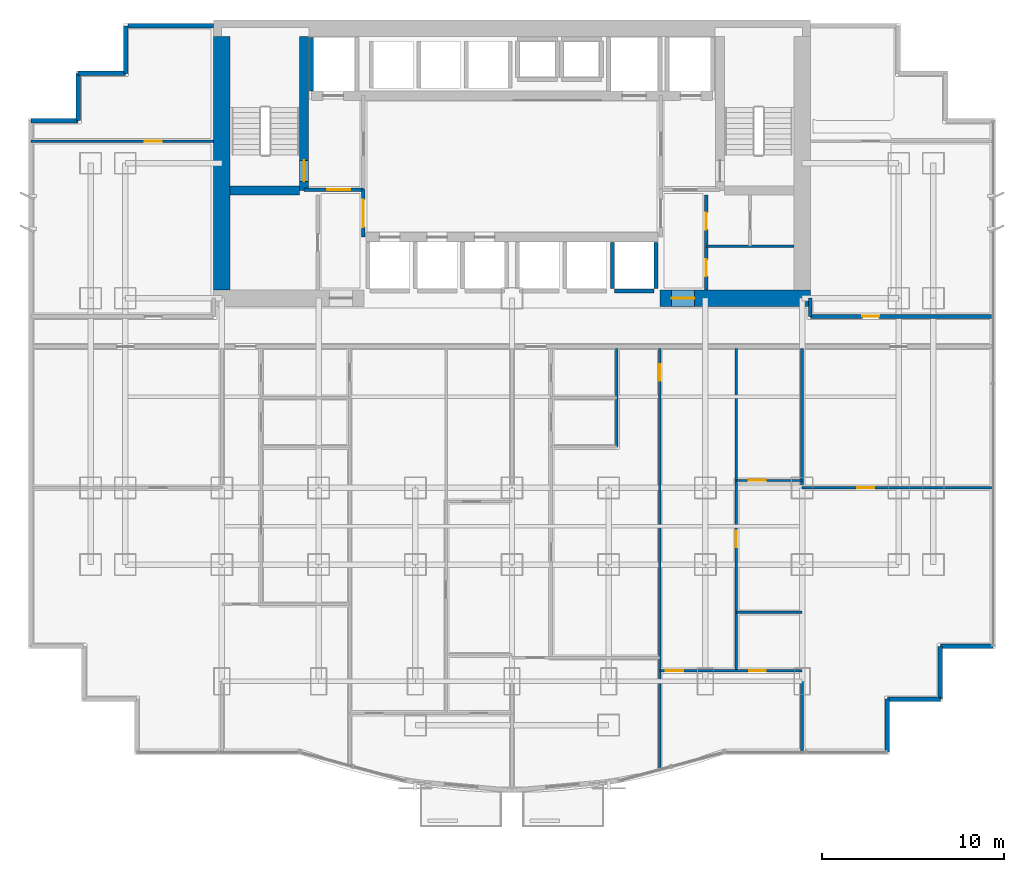
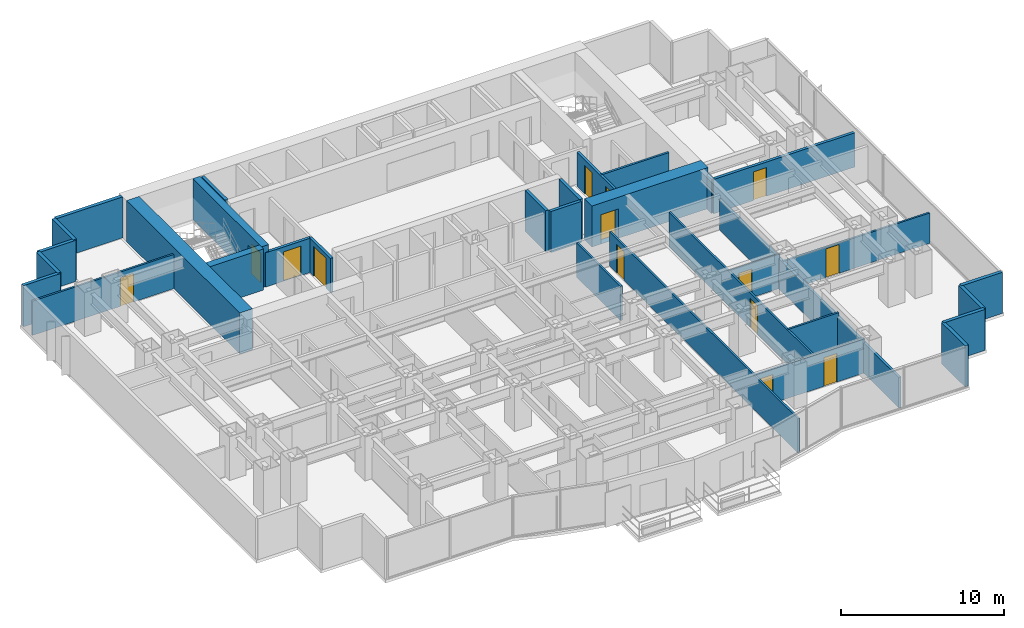
# One storey, part 8 of 12: 32 walls, 14 doors, 14 openings.
"""IFC4 building model written with IfcOpenShell, lengths in metres."""

from ifc_helpers import new_model, si_unit, direction, frame, frame_2d, origin, place, context, subcontext, project, spatial, rectangle, extrude, material, layer, layer_set, type_object, element, fill, save


model = new_model("IFC4")

# Units and contexts
model_context = context("Model", 3, precision=1e-05, world=origin(), true_north=direction((0.0, 1.0)))
body_context = subcontext(model_context, "Body", "Model", "MODEL_VIEW")
ifc_project = project(units=[si_unit("LENGTHUNIT", "METRE"), si_unit("AREAUNIT", "SQUARE_METRE"), si_unit("VOLUMEUNIT", "CUBIC_METRE"), si_unit("PLANEANGLEUNIT", "RADIAN"), si_unit("MASSUNIT", "GRAM", prefix="KILO")], contexts=[model_context])

# Site, building, storey
site_placement = place(None, origin())
site = spatial("IfcSite", under=ifc_project, at=site_placement, CompositionType="ELEMENT")
building_placement = place(site_placement, origin())
building = spatial("IfcBuilding", under=site, at=building_placement, Name="Qianlan Lanfeng Residences", CompositionType="ELEMENT")
storey_placement = place(building_placement, frame((0.0, 0.0, 44.0)))
storey = spatial("IfcBuildingStorey", under=building, at=storey_placement, Name="L11", CompositionType="ELEMENT", Elevation=44.0)

# Wall, opening, door
ifc_material_1 = material(Name="Concrete C70", Category="concrete")
ifc_layer_1 = layer(ifc_material_1, 0.5)
ifc_layer_set_1 = layer_set([ifc_layer_1], Name="Concrete C70")
wall_type_1 = type_object("IfcWallType", Name="CW-RC-500", PredefinedType="SHEAR", material=ifc_layer_set_1)
wall_1_placement = place(storey_placement, frame((15.10009765625, 31.10009765625, 0.0), z_axis=(0.0, 0.0, 1.0), x_axis=(0.0, 1.0, 0.0)))
wall_1 = element("IfcWall", 1, at=wall_1_placement, inside=storey, type_object=wall_type_1, Name="L11 Core Shear Wall ST1E", PredefinedType="SHEAR", context=body_context, shape_type="SweptSolid", body=[
    extrude(rectangle(XDim=8.449951171875, YDim=0.5, at=frame_2d((4.22509765625, 0.0))), origin(), (0.0, 0.0, 1.0), 3.080078125),
])
opening_1_placement = place(wall_1_placement, frame((0.510009765625, 0.0, 0.0)))
opening_1 = element("IfcOpeningElement", 2, at=opening_1_placement, cuts=wall_1, Name="Opening L11-D07", PredefinedType="OPENING", context=body_context, shape_type="SweptSolid", body=[
    extrude(rectangle(XDim=1.14990234375, YDim=2.199951171875, at=frame_2d((0.574951171875, 1.10009765625))), frame((0.0, 0.260009765625, 0.0), z_axis=(0.0, -1.0, 0.0), x_axis=(1.0, 0.0, 0.0)), (0.0, 0.0, 1.0), 0.52001953125),
])
ifc_material_2 = material(Name="Painted Galvanised Steel Fire Door", Category="steel")
door_type_1 = type_object("IfcDoorType", Name="DT-ST1", OperationType="NOTDEFINED", PredefinedType="DOOR", material=ifc_material_2)
door_1_placement = place(opening_1_placement, frame((1.14990234375, 0.0, 0.0), z_axis=(0.0, 0.0, 1.0), x_axis=(-1.0, 0.0, 0.0)))
door_1 = element("IfcDoor", 3, at=door_1_placement, inside=storey, type_object=door_type_1, Name="L11 Exit Stair ST-1 Door L11-D07 (DT-ST1)", OperationType="SINGLE_SWING_RIGHT", OverallHeight=2.199951171875, OverallWidth=1.14990234375, PredefinedType="DOOR", context=body_context, shape_type="SweptSolid", body=[
    extrude(rectangle(XDim=1.14990234375, YDim=2.199951171875, at=frame_2d((0.574951171875, 1.10009765625))), frame((0.0, 0.02490234375, 0.0), z_axis=(0.0, -1.0, 0.0), x_axis=(1.0, 0.0, 0.0)), (0.0, 0.0, 1.0), 0.050048828125),
])
fill(opening_1, door_1)

# Walls
wall_2_placement = place(storey_placement, frame((11.050048828125, 31.10009765625, 0.0), z_axis=(0.0, 0.0, 1.0), x_axis=(1.0, 0.0, 0.0)))
element("IfcWall", 4, at=wall_2_placement, inside=storey, type_object=wall_type_1, Name="L11 Core Shear Wall ST1S", PredefinedType="SHEAR", context=body_context, shape_type="SweptSolid", body=[
    extrude(rectangle(XDim=3.800048828125, YDim=0.5, at=frame_2d((1.89990234375, 0.0))), origin(), (0.0, 0.0, 1.0), 3.080078125),
])
ifc_layer_2 = layer(ifc_material_1, 0.89990234375)
ifc_layer_set_2 = layer_set([ifc_layer_2], Name="Concrete C70")
wall_type_2 = type_object("IfcWallType", Name="CW-RC-900", PredefinedType="SHEAR", material=ifc_layer_set_2)
wall_3_placement = place(storey_placement, frame((10.60009765625, 25.64990234375, 0.0), z_axis=(0.0, 0.0, 1.0), x_axis=(0.0, 1.0, 0.0)))
element("IfcWall", 5, at=wall_3_placement, inside=storey, type_object=wall_type_2, Name="L11 Core Shear Wall W", PredefinedType="SHEAR", context=body_context, shape_type="SweptSolid", body=[
    extrude(rectangle(XDim=13.900146484375, YDim=0.89990234375, at=frame_2d((6.9501953125, 0.0))), origin(), (0.0, 0.0, 1.0), 3.080078125),
])

# Wall, opening, door
wall_4_placement = place(storey_placement, frame((34.60009765625, 25.199951171875, 0.0), z_axis=(0.0, 0.0, 1.0), x_axis=(1.0, 0.0, 0.0)))
wall_4 = element("IfcWall", 6, at=wall_4_placement, inside=storey, type_object=wall_type_2, Name="L11 Core Shear Wall SE", PredefinedType="SHEAR", context=body_context, shape_type="SweptSolid", body=[
    extrude(rectangle(XDim=8.25, YDim=0.89990234375, at=frame_2d((4.125, 0.0))), origin(), (0.0, 0.0, 1.0), 3.080078125),
])
opening_2_placement = place(wall_4_placement, frame((0.64990234375, 0.0, 0.0)))
opening_2 = element("IfcOpeningElement", 7, at=opening_2_placement, cuts=wall_4, Name="Opening L11-D02", PredefinedType="OPENING", context=body_context, shape_type="SweptSolid", body=[
    extrude(rectangle(XDim=1.25, YDim=2.199951171875, at=frame_2d((0.625, 1.10009765625))), frame((0.0, 0.4599609375, 0.0), z_axis=(0.0, -1.0, 0.0), x_axis=(1.0, 0.0, 0.0)), (0.0, 0.0, 1.0), 0.919921875),
])
door_type_2 = type_object("IfcDoorType", Name="DT-FFL", OperationType="NOTDEFINED", PredefinedType="DOOR", material=ifc_material_2)
door_2_placement = place(opening_2_placement, frame((1.25, 0.0, 0.0), z_axis=(0.0, 0.0, 1.0), x_axis=(-1.0, 0.0, 0.0)))
door_2 = element("IfcDoor", 8, at=door_2_placement, inside=storey, type_object=door_type_2, Name="L11 East Core Lobby Smoke Door L11-D02 (DT-FFL)", OperationType="SINGLE_SWING_LEFT", OverallHeight=2.199951171875, OverallWidth=1.25, PredefinedType="DOOR", context=body_context, shape_type="SweptSolid", body=[
    extrude(rectangle(XDim=1.25, YDim=2.199951171875, at=frame_2d((0.625, 1.10009765625))), frame((0.0, 0.02490234375, 0.0), z_axis=(0.0, -1.0, 0.0), x_axis=(1.0, 0.0, 0.0)), (0.0, 0.0, 1.0), 0.050048828125),
])
fill(opening_2, door_2)

# Walls
ifc_material_3 = material(Name="Concrete C42", Category="concrete")
ifc_layer_3 = layer(ifc_material_3, 0.239990234375)
ifc_layer_set_3 = layer_set([ifc_layer_3], Name="Concrete C42")
wall_type_3 = type_object("IfcWallType", Name="EW-240", PredefinedType="SOLIDWALL", material=ifc_layer_set_3)
for number, where, z_axis, x_axis, name in (
    (9, (47.080078125, 0.320068359375, 0.0), (0.0, 0.0, 1.0), (0.0, 1.0, 0.0), "L11 Exterior Facade Spandrel Wall 7"),
    (10, (47.080078125, 3.219970703125, 0.0), (0.0, 0.0, 1.0), (1.0, 0.0, 0.0), "L11 Exterior Facade Spandrel Wall 8"),
):
    element("IfcWall", number, at=place(storey_placement, frame(where, z_axis=z_axis, x_axis=x_axis)), inside=storey, type_object=wall_type_3, Name=name, PredefinedType="SOLIDWALL", context=body_context, shape_type="SweptSolid", body=[
        extrude(rectangle(XDim=2.89990234375, YDim=0.239990234375, at=frame_2d((1.449951171875, 0.0))), origin(), (0.0, 0.0, 1.0), 3.080078125),
    ])
wall_5_placement = place(storey_placement, frame((49.97998046875, 3.219970703125, 0.0), z_axis=(0.0, 0.0, 1.0), x_axis=(0.0, 1.0, 0.0)))
element("IfcWall", 11, at=wall_5_placement, inside=storey, type_object=wall_type_3, Name="L11 Exterior Facade Spandrel Wall 9", PredefinedType="SOLIDWALL", context=body_context, shape_type="SweptSolid", body=[
    extrude(rectangle(XDim=2.900146484375, YDim=0.239990234375, at=frame_2d((1.4501953125, 0.0))), origin(), (0.0, 0.0, 1.0), 3.080078125),
])
wall_6_placement = place(storey_placement, frame((49.97998046875, 6.1201171875, 0.0), z_axis=(0.0, 0.0, 1.0), x_axis=(1.0, 0.0, 0.0)))
element("IfcWall", 12, at=wall_6_placement, inside=storey, type_object=wall_type_3, Name="L11 Exterior Facade Spandrel Wall 10", PredefinedType="SOLIDWALL", context=body_context, shape_type="SweptSolid", body=[
    extrude(rectangle(XDim=2.89990234375, YDim=0.239990234375, at=frame_2d((1.449951171875, 0.0))), origin(), (0.0, 0.0, 1.0), 3.080078125),
])
wall_7_placement = place(storey_placement, frame((10.14990234375, 40.1298828125, 0.0), z_axis=(0.0, 0.0, 1.0), x_axis=(-1.0, 0.0, 0.0)))
element("IfcWall", 13, at=wall_7_placement, inside=storey, type_object=wall_type_3, Name="L11 North Wing Exterior Wall W", PredefinedType="SOLIDWALL", context=body_context, shape_type="SweptSolid", body=[
    extrude(rectangle(XDim=4.699951171875, YDim=0.239990234375, at=frame_2d((2.35009765625, 0.0))), origin(), (0.0, 0.0, 1.0), 3.080078125),
])
wall_8_placement = place(storey_placement, frame((5.320068359375, 40.1298828125, 0.0), z_axis=(0.0, 0.0, 1.0), x_axis=(0.0, -1.0, 0.0)))
element("IfcWall", 14, at=wall_8_placement, inside=storey, type_object=wall_type_3, Name="L11 Exterior Facade Spandrel Wall 17", PredefinedType="SOLIDWALL", context=body_context, shape_type="SweptSolid", body=[
    extrude(rectangle(XDim=2.599853515625, YDim=0.239990234375, at=frame_2d((1.2998046875, 0.0))), origin(), (0.0, 0.0, 1.0), 3.080078125),
])
for number, where, z_axis, x_axis, name in (
    (15, (5.320068359375, 37.530029296875, 0.0), (0.0, 0.0, 1.0), (-1.0, 0.0, 0.0), "L11 Exterior Facade Spandrel Wall 18"),
    (16, (2.719970703125, 37.530029296875, 0.0), (0.0, 0.0, 1.0), (0.0, -1.0, 0.0), "L11 Exterior Facade Spandrel Wall 19"),
):
    element("IfcWall", number, at=place(storey_placement, frame(where, z_axis=z_axis, x_axis=x_axis)), inside=storey, type_object=wall_type_3, Name=name, PredefinedType="SOLIDWALL", context=body_context, shape_type="SweptSolid", body=[
        extrude(rectangle(XDim=2.60009765625, YDim=0.239990234375, at=frame_2d((1.300048828125, 0.0))), origin(), (0.0, 0.0, 1.0), 3.080078125),
    ])
wall_9_placement = place(storey_placement, frame((2.719970703125, 34.929931640625, 0.0), z_axis=(0.0, 0.0, 1.0), x_axis=(-1.0, 0.0, 0.0)))
element("IfcWall", 17, at=wall_9_placement, inside=storey, type_object=wall_type_3, Name="L11 Exterior Facade Spandrel Wall 20", PredefinedType="SOLIDWALL", context=body_context, shape_type="SweptSolid", body=[
    extrude(rectangle(XDim=2.599853515625, YDim=0.239990234375, at=frame_2d((1.2998046875, 0.0))), origin(), (0.0, 0.0, 1.0), 3.080078125),
])

# Wall, opening, door
ifc_material_4 = material(Name="Demountable Acoustic Framing Partition 110 mm")
ifc_layer_4 = layer(ifc_material_4, 0.110107421875)
ifc_layer_set_4 = layer_set([ifc_layer_4], Name="Demountable Acoustic Framing Partition 110 mm")
wall_type_4 = type_object("IfcWallType", Name="PW-110", PredefinedType="MOVABLE", material=ifc_layer_set_4)
wall_10_placement = place(storey_placement, frame((38.800048828125, 15.214111328125, 0.0), z_axis=(0.0, 0.0, 1.0), x_axis=(1.0, 0.0, 0.0)))
wall_10 = element("IfcWall", 18, at=wall_10_placement, inside=storey, type_object=wall_type_4, Name="L11 U02 Wardrobe Split", PredefinedType="MOVABLE", context=body_context, shape_type="SweptSolid", body=[
    extrude(rectangle(XDim=3.599853515625, YDim=0.110107421875, at=frame_2d((1.7998046875, 0.0))), origin(), (0.0, 0.0, 1.0), 2.570068359375),
])
opening_3_placement = place(wall_10_placement, frame((0.68994140625, 0.0, 0.0)))
opening_3 = element("IfcOpeningElement", 19, at=opening_3_placement, cuts=wall_10, Name="Opening L11-D34", PredefinedType="OPENING", context=body_context, shape_type="SweptSolid", body=[
    extrude(rectangle(XDim=0.919921875, YDim=2.14990234375, at=frame_2d((0.4599609375, 1.074951171875))), frame((0.0, 0.06494140625, 0.0), z_axis=(0.0, -1.0, 0.0), x_axis=(1.0, 0.0, 0.0)), (0.0, 0.0, 1.0), 0.130126953125),
])
ifc_material_5 = material(Name="Glazed Timber Kitchen/Study Door", Category="wood")
door_type_3 = type_object("IfcDoorType", Name="DT-INT", OperationType="NOTDEFINED", PredefinedType="DOOR", material=ifc_material_5)
door_3_placement = place(opening_3_placement, origin())
door_3 = element("IfcDoor", 20, at=door_3_placement, inside=storey, type_object=door_type_3, Name="L11 U02 Dressing Inner Door L11-D34 (DT-INT)", OperationType="SINGLE_SWING_RIGHT", OverallHeight=2.14990234375, OverallWidth=0.919921875, PredefinedType="DOOR", context=body_context, shape_type="SweptSolid", body=[
    extrude(rectangle(XDim=0.919921875, YDim=2.14990234375, at=frame_2d((0.4599609375, 1.074951171875))), frame((0.0, 0.02490234375, 0.0), z_axis=(0.0, -1.0, 0.0), x_axis=(1.0, 0.0, 0.0)), (0.0, 0.0, 1.0), 0.050048828125),
])
fill(opening_3, door_3)

ifc_material_6 = material(Name="Moisture-Resistant Gypsum Partition 135 mm")
ifc_layer_5 = layer(ifc_material_6, 0.135009765625)
ifc_layer_set_5 = layer_set([ifc_layer_5], Name="Moisture-Resistant Gypsum Partition 135 mm")
wall_type_5 = type_object("IfcWallType", Name="PW-135", PredefinedType="PARTITIONING", material=ifc_layer_set_5)
wall_11_placement = place(storey_placement, frame((34.60009765625, -0.64990234375, 0.0), z_axis=(0.0, 0.0, 1.0), x_axis=(0.0, 1.0, 0.0)))
wall_11 = element("IfcWall", 21, at=wall_11_placement, inside=storey, type_object=wall_type_5, Name="L11 U02 Bay Spine Wall 1", PredefinedType="PARTITIONING", context=body_context, shape_type="SweptSolid", body=[
    extrude(rectangle(XDim=23.099853515625, YDim=0.135009765625, at=frame_2d((11.5498046875, 0.0))), origin(), (0.0, 0.0, 1.0), 2.570068359375),
])
opening_4_placement = place(wall_11_placement, frame((21.31494140625, 0.0, 0.0)))
opening_4 = element("IfcOpeningElement", 22, at=opening_4_placement, cuts=wall_11, Name="Opening L11-D26", PredefinedType="OPENING", context=body_context, shape_type="SweptSolid", body=[
    extrude(rectangle(XDim=0.919921875, YDim=2.14990234375, at=frame_2d((0.4599609375, 1.074951171875))), frame((0.0, 0.07763671875, 0.0), z_axis=(0.0, -1.0, 0.0), x_axis=(1.0, 0.0, 0.0)), (0.0, 0.0, 1.0), 0.155029296875),
])
door_4_placement = place(opening_4_placement, origin())
door_4 = element("IfcDoor", 23, at=door_4_placement, inside=storey, type_object=door_type_3, Name="L11 U02 Internal Hall Door L11-D26 (DT-INT)", OperationType="SINGLE_SWING_RIGHT", OverallHeight=2.14990234375, OverallWidth=0.919921875, PredefinedType="DOOR", context=body_context, shape_type="SweptSolid", body=[
    extrude(rectangle(XDim=0.919921875, YDim=2.14990234375, at=frame_2d((0.4599609375, 1.074951171875))), frame((0.0, 0.02490234375, 0.0), z_axis=(0.0, -1.0, 0.0), x_axis=(1.0, 0.0, 0.0)), (0.0, 0.0, 1.0), 0.050048828125),
])
fill(opening_4, door_4)

# Wall
wall_12_placement = place(storey_placement, frame((32.25, 17.050048828125, 0.0), z_axis=(0.0, 0.0, 1.0), x_axis=(0.0, 1.0, 0.0)))
element("IfcWall", 24, at=wall_12_placement, inside=storey, type_object=wall_type_5, Name="L11 U02 Dining East Wall", PredefinedType="PARTITIONING", context=body_context, shape_type="SweptSolid", body=[
    extrude(rectangle(XDim=5.39990234375, YDim=0.135009765625, at=frame_2d((2.699951171875, 0.0))), origin(), (0.0, 0.0, 1.0), 2.570068359375),
])

# Wall, openings, doors
wall_13_placement = place(storey_placement, frame((34.60009765625, 4.779052734375, 0.0), z_axis=(0.0, 0.0, 1.0), x_axis=(1.0, 0.0, 0.0)))
wall_13 = element("IfcWall", 25, at=wall_13_placement, inside=storey, type_object=wall_type_5, Name="L11 U02 Master Bedroom North Wall", PredefinedType="PARTITIONING", context=body_context, shape_type="SweptSolid", body=[
    extrude(rectangle(XDim=7.7998046875, YDim=0.135009765625, at=frame_2d((3.89990234375, 0.0))), origin(), (0.0, 0.0, 1.0), 2.570068359375),
])
opening_5_placement = place(wall_13_placement, frame((0.324951171875, 0.0, 0.0)))
opening_5 = element("IfcOpeningElement", 26, at=opening_5_placement, cuts=wall_13, Name="Opening L11-D31", PredefinedType="OPENING", context=body_context, shape_type="SweptSolid", body=[
    extrude(rectangle(XDim=0.949951171875, YDim=2.14990234375, at=frame_2d((0.47509765625, 1.074951171875))), frame((0.0, 0.07763671875, 0.0), z_axis=(0.0, -1.0, 0.0), x_axis=(1.0, 0.0, 0.0)), (0.0, 0.0, 1.0), 0.155029296875),
])
opening_6_placement = place(wall_13_placement, frame((4.89990234375, 0.0, 0.0)))
opening_6 = element("IfcOpeningElement", 27, at=opening_6_placement, cuts=wall_13, Name="Opening L11-D32", PredefinedType="OPENING", context=body_context, shape_type="SweptSolid", body=[
    extrude(rectangle(XDim=0.89990234375, YDim=2.14990234375, at=frame_2d((0.449951171875, 1.074951171875))), frame((0.0, 0.07763671875, 0.0), z_axis=(0.0, -1.0, 0.0), x_axis=(1.0, 0.0, 0.0)), (0.0, 0.0, 1.0), 0.155029296875),
])
ifc_material_7 = material(Name="Painted Solid-Core Timber Leaf", Category="wood")
door_type_4 = type_object("IfcDoorType", Name="DT-BED", OperationType="NOTDEFINED", PredefinedType="DOOR", material=ifc_material_7)
door_5_placement = place(opening_5_placement, origin())
door_5 = element("IfcDoor", 28, at=door_5_placement, inside=storey, type_object=door_type_4, Name="L11 U02 Master Bedroom Door L11-D31 (DT-BED)", OperationType="SINGLE_SWING_RIGHT", OverallHeight=2.14990234375, OverallWidth=0.949951171875, PredefinedType="DOOR", context=body_context, shape_type="SweptSolid", body=[
    extrude(rectangle(XDim=0.949951171875, YDim=2.14990234375, at=frame_2d((0.47509765625, 1.074951171875))), frame((0.0, 0.02490234375, 0.0), z_axis=(0.0, -1.0, 0.0), x_axis=(1.0, 0.0, 0.0)), (0.0, 0.0, 1.0), 0.050048828125),
])
fill(opening_5, door_5)
ifc_material_8 = material(Name="Moisture-Resistant Timber Leaf", Category="wood")
door_type_5 = type_object("IfcDoorType", Name="DT-WC", OperationType="NOTDEFINED", PredefinedType="DOOR", material=ifc_material_8)
door_6_placement = place(opening_6_placement, origin())
door_6 = element("IfcDoor", 29, at=door_6_placement, inside=storey, type_object=door_type_5, Name="L11 U02 En-Suite Bathroom Door L11-D32 (DT-WC)", OperationType="SINGLE_SWING_RIGHT", OverallHeight=2.14990234375, OverallWidth=0.89990234375, PredefinedType="DOOR", context=body_context, shape_type="SweptSolid", body=[
    extrude(rectangle(XDim=0.89990234375, YDim=2.14990234375, at=frame_2d((0.449951171875, 1.074951171875))), frame((0.0, 0.02490234375, 0.0), z_axis=(0.0, -1.0, 0.0), x_axis=(1.0, 0.0, 0.0)), (0.0, 0.0, 1.0), 0.050048828125),
])
fill(opening_6, door_6)

# Wall, opening, door
wall_14_placement = place(storey_placement, frame((38.800048828125, 4.779052734375, 0.0), z_axis=(0.0, 0.0, 1.0), x_axis=(0.0, 1.0, 0.0)))
wall_14 = element("IfcWall", 30, at=wall_14_placement, inside=storey, type_object=wall_type_5, Name="L11 U02 Master Passage Wall", PredefinedType="PARTITIONING", context=body_context, shape_type="SweptSolid", body=[
    extrude(rectangle(XDim=17.6708984375, YDim=0.135009765625, at=frame_2d((8.83544921875, 0.0))), origin(), (0.0, 0.0, 1.0), 2.570068359375),
])
opening_7_placement = place(wall_14_placement, frame((6.758056640625, 0.0, 0.0)))
opening_7 = element("IfcOpeningElement", 31, at=opening_7_placement, cuts=wall_14, Name="Opening L11-D33", PredefinedType="OPENING", context=body_context, shape_type="SweptSolid", body=[
    extrude(rectangle(XDim=0.919921875, YDim=2.14990234375, at=frame_2d((0.4599609375, 1.074951171875))), frame((0.0, 0.07763671875, 0.0), z_axis=(0.0, -1.0, 0.0), x_axis=(1.0, 0.0, 0.0)), (0.0, 0.0, 1.0), 0.155029296875),
])
door_7_placement = place(opening_7_placement, origin())
door_7 = element("IfcDoor", 32, at=door_7_placement, inside=storey, type_object=door_type_3, Name="L11 U02 Wardrobe Door L11-D33 (DT-INT)", OperationType="SINGLE_SWING_LEFT", OverallHeight=2.14990234375, OverallWidth=0.919921875, PredefinedType="DOOR", context=body_context, shape_type="SweptSolid", body=[
    extrude(rectangle(XDim=0.919921875, YDim=2.14990234375, at=frame_2d((0.4599609375, 1.074951171875))), frame((0.0, 0.02490234375, 0.0), z_axis=(0.0, -1.0, 0.0), x_axis=(1.0, 0.0, 0.0)), (0.0, 0.0, 1.0), 0.050048828125),
])
fill(opening_7, door_7)

# Wall
wall_15_placement = place(storey_placement, frame((38.800048828125, 7.97900390625, 0.0), z_axis=(0.0, 0.0, 1.0), x_axis=(1.0, 0.0, 0.0)))
element("IfcWall", 33, at=wall_15_placement, inside=storey, type_object=wall_type_5, Name="L11 U02 En-Suite North Wall", PredefinedType="PARTITIONING", context=body_context, shape_type="SweptSolid", body=[
    extrude(rectangle(XDim=3.599853515625, YDim=0.135009765625, at=frame_2d((1.7998046875, 0.0))), origin(), (0.0, 0.0, 1.0), 2.570068359375),
])

# Wall, opening, door
wall_16_placement = place(storey_placement, frame((42.39990234375, 14.800048828125, 0.0), z_axis=(0.0, 0.0, 1.0), x_axis=(1.0, 0.0, 0.0)))
wall_16 = element("IfcWall", 34, at=wall_16_placement, inside=storey, type_object=wall_type_5, Name="L11 SEP Mid Partition", PredefinedType="PARTITIONING", context=body_context, shape_type="SweptSolid", body=[
    extrude(rectangle(XDim=10.380126953125, YDim=0.135009765625, at=frame_2d((5.18994140625, 0.0))), origin(), (0.0, 0.0, 1.0), 2.27490234375),
])
opening_8_placement = place(wall_16_placement, frame((3.030029296875, 0.0, 0.0)))
opening_8 = element("IfcOpeningElement", 35, at=opening_8_placement, cuts=wall_16, Name="Opening L11-D37", PredefinedType="OPENING", context=body_context, shape_type="SweptSolid", body=[
    extrude(rectangle(XDim=0.919921875, YDim=2.14990234375, at=frame_2d((0.4599609375, 1.074951171875))), frame((0.0, 0.07763671875, 0.0), z_axis=(0.0, -1.0, 0.0), x_axis=(1.0, 0.0, 0.0)), (0.0, 0.0, 1.0), 0.155029296875),
])
door_8_placement = place(opening_8_placement, origin())
door_8 = element("IfcDoor", 36, at=door_8_placement, inside=storey, type_object=door_type_3, Name="L11 SEP Inner Door L11-D37 (DT-INT)", OperationType="SINGLE_SWING_LEFT", OverallHeight=2.14990234375, OverallWidth=0.919921875, PredefinedType="DOOR", context=body_context, shape_type="SweptSolid", body=[
    extrude(rectangle(XDim=0.919921875, YDim=2.14990234375, at=frame_2d((0.4599609375, 1.074951171875))), frame((0.0, 0.02490234375, 0.0), z_axis=(0.0, -1.0, 0.0), x_axis=(1.0, 0.0, 0.0)), (0.0, 0.0, 1.0), 0.050048828125),
])
fill(opening_8, door_8)

wall_17_placement = place(storey_placement, frame((0.1201171875, 33.800048828125, 0.0), z_axis=(0.0, 0.0, 1.0), x_axis=(1.0, 0.0, 0.0)))
wall_17 = element("IfcWall", 37, at=wall_17_placement, inside=storey, type_object=wall_type_5, Name="L11 WW North Wing Wall", PredefinedType="PARTITIONING", context=body_context, shape_type="SweptSolid", body=[
    extrude(rectangle(XDim=10.02978515625, YDim=0.135009765625, at=frame_2d((5.014892578125, 0.0))), origin(), (0.0, 0.0, 1.0), 2.570068359375),
])
opening_9_placement = place(wall_17_placement, frame((6.2548828125, 0.0, 0.0)))
opening_9 = element("IfcOpeningElement", 38, at=opening_9_placement, cuts=wall_17, Name="Opening L11-D39", PredefinedType="OPENING", context=body_context, shape_type="SweptSolid", body=[
    extrude(rectangle(XDim=0.919921875, YDim=2.14990234375, at=frame_2d((0.4599609375, 1.074951171875))), frame((0.0, 0.07763671875, 0.0), z_axis=(0.0, -1.0, 0.0), x_axis=(1.0, 0.0, 0.0)), (0.0, 0.0, 1.0), 0.155029296875),
])
door_9_placement = place(opening_9_placement, origin())
door_9 = element("IfcDoor", 39, at=door_9_placement, inside=storey, type_object=door_type_3, Name="L11 WW Inner Salon Door L11-D39 (DT-INT)", OperationType="SINGLE_SWING_LEFT", OverallHeight=2.14990234375, OverallWidth=0.919921875, PredefinedType="DOOR", context=body_context, shape_type="SweptSolid", body=[
    extrude(rectangle(XDim=0.919921875, YDim=2.14990234375, at=frame_2d((0.4599609375, 1.074951171875))), frame((0.0, 0.02490234375, 0.0), z_axis=(0.0, -1.0, 0.0), x_axis=(1.0, 0.0, 0.0)), (0.0, 0.0, 1.0), 0.050048828125),
])
fill(opening_9, door_9)

# Wall
ifc_material_9 = material(Name="Acoustic Drywall Partition 150 mm")
ifc_layer_6 = layer(ifc_material_9, 0.14990234375)
ifc_layer_set_6 = layer_set([ifc_layer_6], Name="Acoustic Drywall Partition 150 mm")
wall_type_6 = type_object("IfcWallType", Name="PW-150", PredefinedType="PARTITIONING", material=ifc_layer_set_6)
wall_18_placement = place(storey_placement, frame((37.14990234375, 28.050048828125, 0.0), z_axis=(0.0, 0.0, 1.0), x_axis=(1.0, 0.0, 0.0)))
element("IfcWall", 40, at=wall_18_placement, inside=storey, type_object=wall_type_6, Name="L11 Core East H Split", PredefinedType="PARTITIONING", context=body_context, shape_type="SweptSolid", body=[
    extrude(rectangle(XDim=4.800048828125, YDim=0.14990234375, at=frame_2d((2.39990234375, 0.0))), origin(), (0.0, 0.0, 1.0), 2.570068359375),
])

# Wall, openings, doors
ifc_material_10 = material(Name="Double-Layer Acoustic Gypsum Stud Wall 180 mm")
ifc_layer_7 = layer(ifc_material_10, 0.179931640625)
ifc_layer_set_7 = layer_set([ifc_layer_7], Name="Double-Layer Acoustic Gypsum Stud Wall 180 mm")
wall_type_7 = type_object("IfcWallType", Name="PW-180", PredefinedType="PARTITIONING", material=ifc_layer_set_7)
wall_19_placement = place(storey_placement, frame((37.14990234375, 25.64990234375, 0.0), z_axis=(0.0, 0.0, 1.0), x_axis=(0.0, 1.0, 0.0)))
wall_19 = element("IfcWall", 41, at=wall_19_placement, inside=storey, type_object=wall_type_7, Name="L11 Core East Service Room Wall", PredefinedType="PARTITIONING", context=body_context, shape_type="SweptSolid", body=[
    extrude(rectangle(XDim=5.2001953125, YDim=0.179931640625, at=frame_2d((2.60009765625, 0.0))), origin(), (0.0, 0.0, 1.0), 2.570068359375),
])
opening_10_placement = place(wall_19_placement, frame((0.764892578125, 0.0, 0.0)))
opening_10 = element("IfcOpeningElement", 42, at=opening_10_placement, cuts=wall_19, Name="Opening L11-D10", PredefinedType="OPENING", context=body_context, shape_type="SweptSolid", body=[
    extrude(rectangle(XDim=0.919921875, YDim=2.14990234375, at=frame_2d((0.4599609375, 1.074951171875))), frame((0.0, 0.10009765625, 0.0), z_axis=(0.0, -1.0, 0.0), x_axis=(1.0, 0.0, 0.0)), (0.0, 0.0, 1.0), 0.199951171875),
])
opening_11_placement = place(wall_19_placement, frame((3.31494140625, 0.0, 0.0)))
opening_11 = element("IfcOpeningElement", 43, at=opening_11_placement, cuts=wall_19, Name="Opening L11-D11", PredefinedType="OPENING", context=body_context, shape_type="SweptSolid", body=[
    extrude(rectangle(XDim=0.919921875, YDim=2.14990234375, at=frame_2d((0.4599609375, 1.074951171875))), frame((0.0, 0.10009765625, 0.0), z_axis=(0.0, -1.0, 0.0), x_axis=(1.0, 0.0, 0.0)), (0.0, 0.0, 1.0), 0.199951171875),
])
door_10_placement = place(opening_10_placement, origin())
door_10 = element("IfcDoor", 44, at=door_10_placement, inside=storey, type_object=door_type_3, Name="L11 Refuse Room Door L11-D10 (DT-INT)", OperationType="SINGLE_SWING_LEFT", OverallHeight=2.14990234375, OverallWidth=0.919921875, PredefinedType="DOOR", context=body_context, shape_type="SweptSolid", body=[
    extrude(rectangle(XDim=0.919921875, YDim=2.14990234375, at=frame_2d((0.4599609375, 1.074951171875))), frame((0.0, 0.02490234375, 0.0), z_axis=(0.0, -1.0, 0.0), x_axis=(1.0, 0.0, 0.0)), (0.0, 0.0, 1.0), 0.050048828125),
])
fill(opening_10, door_10)
door_11_placement = place(opening_11_placement, origin())
door_11 = element("IfcDoor", 45, at=door_11_placement, inside=storey, type_object=door_type_3, Name="L11 Janitor Outer Door L11-D11 (DT-INT)", OperationType="SINGLE_SWING_LEFT", OverallHeight=2.14990234375, OverallWidth=0.919921875, PredefinedType="DOOR", context=body_context, shape_type="SweptSolid", body=[
    extrude(rectangle(XDim=0.919921875, YDim=2.14990234375, at=frame_2d((0.4599609375, 1.074951171875))), frame((0.0, 0.02490234375, 0.0), z_axis=(0.0, -1.0, 0.0), x_axis=(1.0, 0.0, 0.0)), (0.0, 0.0, 1.0), 0.050048828125),
])
fill(opening_11, door_11)

# Wall
wall_20_placement = place(storey_placement, frame((42.39990234375, 0.419921875, 0.0), z_axis=(0.0, 0.0, 1.0), x_axis=(0.0, 1.0, 0.0)))
element("IfcWall", 46, at=wall_20_placement, inside=storey, type_object=wall_type_7, Name="L11 Wing Boundary Party Wall E0", PredefinedType="PARTITIONING", context=body_context, shape_type="SweptSolid", body=[
    extrude(rectangle(XDim=22.030029296875, YDim=0.179931640625, at=frame_2d((11.01513671875, 0.0))), origin(), (0.0, 0.0, 1.0), 2.27490234375),
])

# Wall, opening, door
ifc_material_11 = material(Name="Autoclaved Aerated Concrete Blockwork 200 mm", Category="masonry")
ifc_layer_8 = layer(ifc_material_11, 0.199951171875)
ifc_layer_set_8 = layer_set([ifc_layer_8], Name="Autoclaved Aerated Concrete Blockwork 200 mm")
wall_type_8 = type_object("IfcWallType", Name="PW-200", PredefinedType="PARTITIONING", material=ifc_layer_set_8)
wall_21_placement = place(storey_placement, frame((15.10009765625, 31.14990234375, 0.0), z_axis=(0.0, 0.0, 1.0), x_axis=(1.0, 0.0, 0.0)))
wall_21 = element("IfcWall", 47, at=wall_21_placement, inside=storey, type_object=wall_type_8, Name="L11 Firefighting Lobby 1 South Wall", PredefinedType="PARTITIONING", context=body_context, shape_type="SweptSolid", body=[
    extrude(rectangle(XDim=3.25, YDim=0.199951171875, at=frame_2d((1.625, 0.0))), origin(), (0.0, 0.0, 1.0), 2.570068359375),
])
opening_12_placement = place(wall_21_placement, frame((1.27490234375, 0.0, 0.0)))
opening_12 = element("IfcOpeningElement", 48, at=opening_12_placement, cuts=wall_21, Name="Opening L11-D03", PredefinedType="OPENING", context=body_context, shape_type="SweptSolid", body=[
    extrude(rectangle(XDim=1.25, YDim=2.199951171875, at=frame_2d((0.625, 1.10009765625))), frame((0.0, 0.10986328125, 0.0), z_axis=(0.0, -1.0, 0.0), x_axis=(1.0, 0.0, 0.0)), (0.0, 0.0, 1.0), 0.219970703125),
])
door_12_placement = place(opening_12_placement, origin())
door_12 = element("IfcDoor", 49, at=door_12_placement, inside=storey, type_object=door_type_2, Name="L11 Firefighting Lobby 1 Entry Door L11-D03 (DT-FFL)", OperationType="SINGLE_SWING_LEFT", OverallHeight=2.199951171875, OverallWidth=1.25, PredefinedType="DOOR", context=body_context, shape_type="SweptSolid", body=[
    extrude(rectangle(XDim=1.25, YDim=2.199951171875, at=frame_2d((0.625, 1.10009765625))), frame((0.0, 0.02490234375, 0.0), z_axis=(0.0, -1.0, 0.0), x_axis=(1.0, 0.0, 0.0)), (0.0, 0.0, 1.0), 0.050048828125),
])
fill(opening_12, door_12)

wall_22_placement = place(storey_placement, frame((18.35009765625, 28.550048828125, 0.0), z_axis=(0.0, 0.0, 1.0), x_axis=(0.0, 1.0, 0.0)))
wall_22 = element("IfcWall", 50, at=wall_22_placement, inside=storey, type_object=wall_type_8, Name="L11 Lift Lobby West Connector Wall", PredefinedType="PARTITIONING", context=body_context, shape_type="SweptSolid", body=[
    extrude(rectangle(XDim=2.599853515625, YDim=0.199951171875, at=frame_2d((1.2998046875, 0.0))), origin(), (0.0, 0.0, 1.0), 2.570068359375),
])
opening_13_placement = place(wall_22_placement, frame((0.550048828125, 0.0, 0.0)))
opening_13 = element("IfcOpeningElement", 51, at=opening_13_placement, cuts=wall_22, Name="Opening L11-D13", PredefinedType="OPENING", context=body_context, shape_type="SweptSolid", body=[
    extrude(rectangle(XDim=1.5, YDim=2.25, at=frame_2d((0.75, 1.125))), frame((0.0, 0.10986328125, 0.0), z_axis=(0.0, -1.0, 0.0), x_axis=(1.0, 0.0, 0.0)), (0.0, 0.0, 1.0), 0.219970703125),
])
ifc_material_12 = material(Name="Timber Veneer Acoustic Fire Door", Category="wood")
door_type_6 = type_object("IfcDoorType", Name="DT-COR1", OperationType="NOTDEFINED", PredefinedType="DOOR", material=ifc_material_12)
door_13_placement = place(opening_13_placement, origin())
door_13 = element("IfcDoor", 52, at=door_13_placement, inside=storey, type_object=door_type_6, Name="L11 Lift Lobby West Portal Door L11-D13 (DT-COR1)", OperationType="DOUBLE_DOOR_SINGLE_SWING", OverallHeight=2.25, OverallWidth=1.5, PredefinedType="DOOR", context=body_context, shape_type="SweptSolid", body=[
    extrude(rectangle(XDim=1.5, YDim=2.25, at=frame_2d((0.75, 1.125))), frame((0.0, 0.02490234375, 0.0), z_axis=(0.0, -1.0, 0.0), x_axis=(1.0, 0.0, 0.0)), (0.0, 0.0, 1.0), 0.050048828125),
])
fill(opening_13, door_13)

wall_23_placement = place(storey_placement, frame((42.85009765625, 24.199951171875, 0.0), z_axis=(0.0, 0.0, 1.0), x_axis=(1.0, 0.0, 0.0)))
wall_23 = element("IfcWall", 53, at=wall_23_placement, inside=storey, type_object=wall_type_8, Name="L11 Corridor NE Wall", PredefinedType="PARTITIONING", context=body_context, shape_type="SweptSolid", body=[
    extrude(rectangle(XDim=10.02978515625, YDim=0.199951171875, at=frame_2d((5.014892578125, 0.0))), origin(), (0.0, 0.0, 1.0), 2.570068359375),
])
opening_14_placement = place(wall_23_placement, frame((2.85498046875, 0.0, 0.0)))
opening_14 = element("IfcOpeningElement", 54, at=opening_14_placement, cuts=wall_23, Name="Opening L11-D42", PredefinedType="OPENING", context=body_context, shape_type="SweptSolid", body=[
    extrude(rectangle(XDim=0.919921875, YDim=2.14990234375, at=frame_2d((0.4599609375, 1.074951171875))), frame((0.0, 0.10986328125, 0.0), z_axis=(0.0, -1.0, 0.0), x_axis=(1.0, 0.0, 0.0)), (0.0, 0.0, 1.0), 0.219970703125),
])
door_14_placement = place(opening_14_placement, origin())
door_14 = element("IfcDoor", 55, at=door_14_placement, inside=storey, type_object=door_type_3, Name="L11 EW Amenity Salon Door L11-D42 (DT-INT)", OperationType="SINGLE_SWING_LEFT", OverallHeight=2.14990234375, OverallWidth=0.919921875, PredefinedType="DOOR", context=body_context, shape_type="SweptSolid", body=[
    extrude(rectangle(XDim=0.919921875, YDim=2.14990234375, at=frame_2d((0.4599609375, 1.074951171875))), frame((0.0, 0.02490234375, 0.0), z_axis=(0.0, -1.0, 0.0), x_axis=(1.0, 0.0, 0.0)), (0.0, 0.0, 1.0), 0.050048828125),
])
fill(opening_14, door_14)

# Walls
wall_24_placement = place(storey_placement, frame((42.85009765625, 24.199951171875, 0.0), z_axis=(0.0, 0.0, 1.0), x_axis=(0.0, 1.0, 0.0)))
element("IfcWall", 56, at=wall_24_placement, inside=storey, type_object=wall_type_8, Name="L11 NE Wing Core Return Wall", PredefinedType="PARTITIONING", context=body_context, shape_type="SweptSolid", body=[
    extrude(rectangle(XDim=1.0, YDim=0.199951171875, at=frame_2d((0.5, 0.0))), origin(), (0.0, 0.0, 1.0), 2.570068359375),
])
ifc_material_13 = material(Name="Concrete C49", Category="concrete")
ifc_layer_9 = layer(ifc_material_13, 0.219970703125)
ifc_layer_set_9 = layer_set([ifc_layer_9], Name="Concrete C49")
wall_type_9 = type_object("IfcWallType", Name="SHW-220", PredefinedType="SOLIDWALL", material=ifc_layer_set_9)
wall_25_placement = place(storey_placement, frame((15.52001953125, 36.550048828125, 0.0), z_axis=(0.0, 0.0, 1.0), x_axis=(0.0, 1.0, 0.0)))
element("IfcWall", 57, at=wall_25_placement, inside=storey, type_object=wall_type_9, Name="L11 Lift FFL-1 Shaft Wall W", PredefinedType="SOLIDWALL", context=body_context, shape_type="SweptSolid", body=[
    extrude(rectangle(XDim=2.929931640625, YDim=0.219970703125, at=frame_2d((1.46484375, 0.0))), origin(), (0.0, 0.0, 1.0), 3.080078125),
])
for number, where, z_axis, x_axis, name in (
    (58, (32.0, 25.719970703125, 0.0), (0.0, 0.0, 1.0), (0.0, 1.0, 0.0), "L11 Lift PL-M3 Shaft Wall W"),
    (59, (34.39990234375, 25.719970703125, 0.0), (0.0, 0.0, 1.0), (0.0, 1.0, 0.0), "L11 Lift PL-M3 Shaft Wall E"),
):
    element("IfcWall", number, at=place(storey_placement, frame(where, z_axis=z_axis, x_axis=x_axis)), inside=storey, type_object=wall_type_9, Name=name, PredefinedType="SOLIDWALL", context=body_context, shape_type="SweptSolid", body=[
        extrude(rectangle(XDim=2.530029296875, YDim=0.219970703125, at=frame_2d((1.26513671875, 0.0))), origin(), (0.0, 0.0, 1.0), 3.080078125),
    ])
wall_26_placement = place(storey_placement, frame((32.1201171875, 25.60009765625, 0.0), z_axis=(0.0, 0.0, 1.0), x_axis=(1.0, 0.0, 0.0)))
element("IfcWall", 60, at=wall_26_placement, inside=storey, type_object=wall_type_9, Name="L11 Lift PL-M3 Shaft Back Wall S", PredefinedType="SOLIDWALL", context=body_context, shape_type="SweptSolid", body=[
    extrude(rectangle(XDim=2.159912109375, YDim=0.219970703125, at=frame_2d((1.080078125, 0.0))), origin(), (0.0, 0.0, 1.0), 3.080078125),
])

save(model, "model.ifc")
